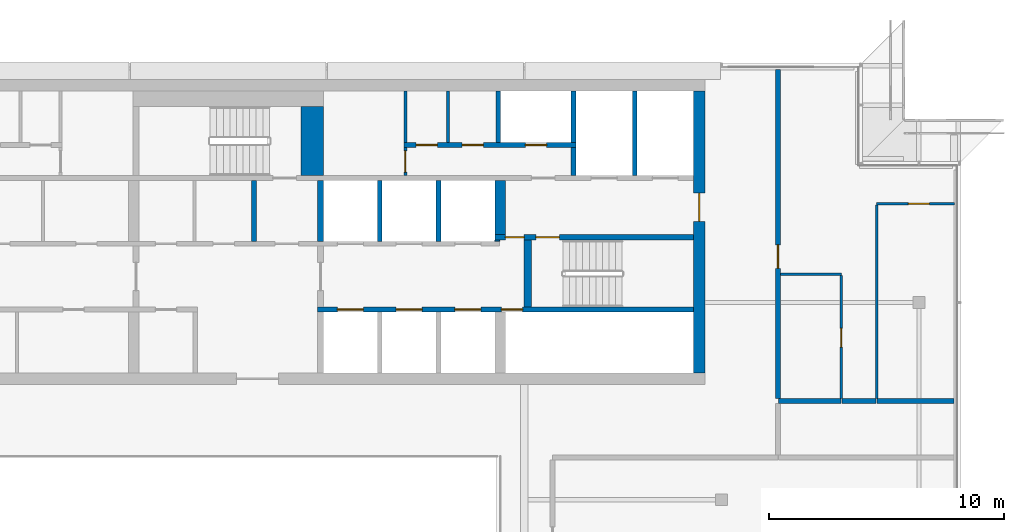
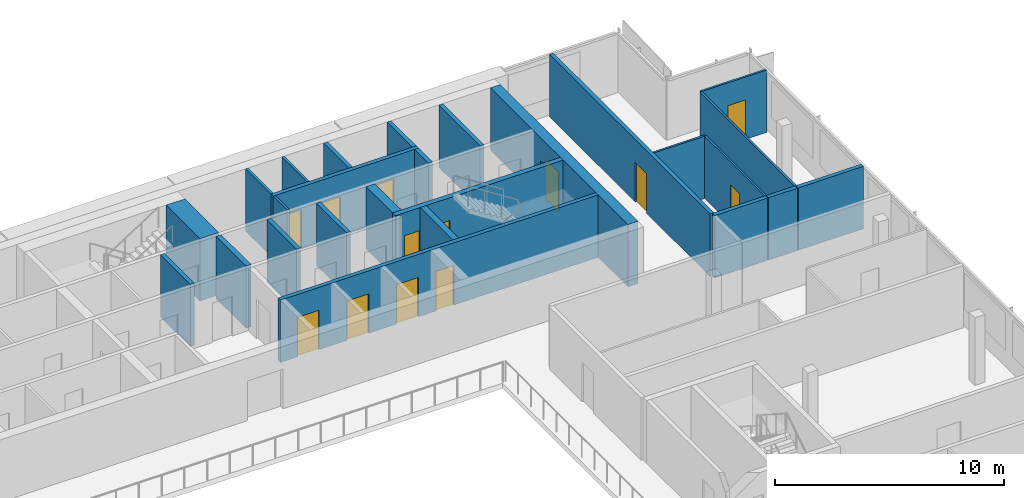
# One storey, part 20 of 24: 27 walls, 14 doors, 14 openings.
"""IFC4 building model written with IfcOpenShell, lengths in metres."""

from ifc_helpers import new_model, si_unit, direction, frame, frame_2d, origin, place, context, subcontext, project, spatial, rectangle, extrude, material, layer, layer_set, type_object, element, fill, save


model = new_model("IFC4")

# Units and contexts
model_context = context("Model", 3, precision=1e-05, world=origin(), true_north=direction((0.0, 1.0)))
body_context = subcontext(model_context, "Body", "Model", "MODEL_VIEW")
ifc_project = project(units=[si_unit("LENGTHUNIT", "METRE"), si_unit("AREAUNIT", "SQUARE_METRE"), si_unit("VOLUMEUNIT", "CUBIC_METRE"), si_unit("PLANEANGLEUNIT", "RADIAN"), si_unit("MASSUNIT", "GRAM", prefix="KILO")], contexts=[model_context])

# Site, building, storey
site_placement = place(None, origin())
site = spatial("IfcSite", under=ifc_project, at=site_placement, CompositionType="ELEMENT")
building_placement = place(site_placement, origin())
building = spatial("IfcBuilding", under=site, at=building_placement, Name="Saffron Gate Tower", CompositionType="ELEMENT")
storey_placement = place(building_placement, frame((0.0, 0.0, 281.550048828125)))
storey = spatial("IfcBuildingStorey", under=building, at=storey_placement, Name="L68", CompositionType="ELEMENT", Elevation=281.550048828125)

# Wall
ifc_material_1 = material(Name="Gypsum board partition on steel studs", Category="steel")
ifc_layer_1 = layer(ifc_material_1, 0.199951171875)
ifc_layer_set_1 = layer_set([ifc_layer_1], Name="CW10 Core partition 200")
wall_type_1 = type_object("IfcWallType", Name="CW10 Core partition 200", PredefinedType="PARTITIONING", material=ifc_layer_set_1)
wall_1_placement = place(storey_placement, frame((88.699951171875, 68.0, 0.0), z_axis=(0.0, 0.0, 1.0), x_axis=(0.0, 1.0, 0.0)))
element("IfcWall", 1, at=wall_1_placement, inside=storey, type_object=wall_type_1, Name="Wall CW10-L68-23", PredefinedType="PARTITIONING", context=body_context, shape_type="SweptSolid", body=[
    extrude(rectangle(XDim=2.60009765625, YDim=0.199951171875, at=frame_2d((1.300048828125, 0.0))), origin(), (0.0, 0.0, 1.0), 3.320068359375),
])

# Wall, opening, door
ifc_material_2 = material(Name="Concrete C50", Category="concrete")
ifc_layer_2 = layer(ifc_material_2, 0.5)
ifc_layer_set_2 = layer_set([ifc_layer_2], Name="CW22 RC core wall 500 C50")
wall_type_2 = type_object("IfcWallType", Name="CW22 RC core wall 500 C50", PredefinedType="SOLIDWALL", material=ifc_layer_set_2)
wall_2_placement = place(storey_placement, frame((107.64990234375, 62.39990234375, 0.0), z_axis=(0.0, 0.0, 1.0), x_axis=(0.0, 1.0, 0.0)))
wall_2 = element("IfcWall", 2, at=wall_2_placement, inside=storey, type_object=wall_type_2, Name="Wall CW22-L68-4", PredefinedType="SOLIDWALL", context=body_context, shape_type="SweptSolid", body=[
    extrude(rectangle(XDim=12.0, YDim=0.5, at=frame_2d((6.0, 0.0))), origin(), (0.0, 0.0, 1.0), 3.320068359375),
])
opening_1_placement = place(wall_2_placement, frame((6.449951171875, 0.0, 0.0)))
opening_1 = element("IfcOpeningElement", 3, at=opening_1_placement, cuts=wall_2, Name="Opening CR-08", PredefinedType="OPENING", context=body_context, shape_type="SweptSolid", body=[
    extrude(rectangle(XDim=1.199951171875, YDim=2.10009765625, at=frame_2d((0.60009765625, 1.050048828125))), frame((0.0, 0.260009765625, 0.0), z_axis=(0.0, -1.0, 0.0), x_axis=(1.0, 0.0, 0.0)), (0.0, 0.0, 1.0), 0.52001953125),
])
ifc_material_3 = material(Name="Steel fire door set", Category="steel")
door_type_1 = type_object("IfcDoorType", Name="CD7 Core entrance door 1200x2100 EI 120", OperationType="NOTDEFINED", PredefinedType="DOOR", material=ifc_material_3)
door_1_placement = place(opening_1_placement, origin())
door_1 = element("IfcDoor", 4, at=door_1_placement, inside=storey, type_object=door_type_1, Name="DOOR CR-08", OperationType="SINGLE_SWING_RIGHT", OverallHeight=2.10009765625, OverallWidth=1.199951171875, PredefinedType="DOOR", context=body_context, shape_type="SweptSolid", body=[
    extrude(rectangle(XDim=1.199951171875, YDim=2.10009765625, at=frame_2d((0.60009765625, 1.050048828125))), frame((0.0, 0.02490234375, 0.0), z_axis=(0.0, -1.0, 0.0), x_axis=(1.0, 0.0, 0.0)), (0.0, 0.0, 1.0), 0.050048828125),
])
fill(opening_1, door_1)

# Wall
ifc_layer_3 = layer(ifc_material_2, 0.25)
ifc_layer_set_3 = layer_set([ifc_layer_3], Name="CW23 RC core wall 250 C50")
wall_type_3 = type_object("IfcWallType", Name="CW23 RC core wall 250 C50", PredefinedType="SOLIDWALL", material=ifc_layer_set_3)
wall_3_placement = place(storey_placement, frame((91.52490234375, 68.0, 0.0), z_axis=(0.0, 0.0, 1.0), x_axis=(0.0, 1.0, 0.0)))
element("IfcWall", 5, at=wall_3_placement, inside=storey, type_object=wall_type_3, Name="Wall CW23-L68-24", PredefinedType="SOLIDWALL", context=body_context, shape_type="SweptSolid", body=[
    extrude(rectangle(XDim=2.60009765625, YDim=0.25, at=frame_2d((1.300048828125, 0.0))), origin(), (0.0, 0.0, 1.0), 3.320068359375),
])

# Wall, openings, doors
wall_4_placement = place(storey_placement, frame((98.949951171875, 68.175048828125, 0.0), z_axis=(0.0, 0.0, 1.0), x_axis=(1.0, 0.0, 0.0)))
wall_4 = element("IfcWall", 6, at=wall_4_placement, inside=storey, type_object=wall_type_3, Name="Wall CW23-L68-29", PredefinedType="SOLIDWALL", context=body_context, shape_type="SweptSolid", body=[
    extrude(rectangle(XDim=8.449951171875, YDim=0.25, at=frame_2d((4.22509765625, 0.0))), origin(), (0.0, 0.0, 1.0), 3.320068359375),
])
opening_2_placement = place(wall_4_placement, frame((0.449951171875, 0.0, 0.0)))
opening_2 = element("IfcOpeningElement", 7, at=opening_2_placement, cuts=wall_4, Name="Opening CR-05", PredefinedType="OPENING", context=body_context, shape_type="SweptSolid", body=[
    extrude(rectangle(XDim=0.800048828125, YDim=2.10009765625, at=frame_2d((0.39990234375, 1.050048828125))), frame((0.0, 0.135009765625, 0.0), z_axis=(0.0, -1.0, 0.0), x_axis=(1.0, 0.0, 0.0)), (0.0, 0.0, 1.0), 0.27001953125),
])
opening_3_placement = place(wall_4_placement, frame((1.75, 0.0, 0.0)))
opening_3 = element("IfcOpeningElement", 8, at=opening_3_placement, cuts=wall_4, Name="Opening CR-16", PredefinedType="OPENING", context=body_context, shape_type="SweptSolid", body=[
    extrude(rectangle(XDim=1.0, YDim=2.10009765625, at=frame_2d((0.5, 1.050048828125))), frame((0.0, 0.135009765625, 0.0), z_axis=(0.0, -1.0, 0.0), x_axis=(1.0, 0.0, 0.0)), (0.0, 0.0, 1.0), 0.27001953125),
])
door_type_2 = type_object("IfcDoorType", Name="CD5 Stair door 1000x2100 EI 120", OperationType="NOTDEFINED", PredefinedType="DOOR", material=ifc_material_3)
door_2_placement = place(opening_3_placement, origin())
door_2 = element("IfcDoor", 9, at=door_2_placement, inside=storey, type_object=door_type_2, Name="DOOR CR-16", OperationType="SINGLE_SWING_RIGHT", OverallHeight=2.10009765625, OverallWidth=1.0, PredefinedType="DOOR", context=body_context, shape_type="SweptSolid", body=[
    extrude(rectangle(XDim=1.0, YDim=2.10009765625, at=frame_2d((0.5, 1.050048828125))), frame((0.0, 0.02490234375, 0.0), z_axis=(0.0, -1.0, 0.0), x_axis=(1.0, 0.0, 0.0)), (0.0, 0.0, 1.0), 0.050048828125),
])
fill(opening_3, door_2)
door_type_3 = type_object("IfcDoorType", Name="CD6 Lobby door 800x2100 EI 120", OperationType="NOTDEFINED", PredefinedType="DOOR", material=ifc_material_3)
door_3_placement = place(opening_2_placement, origin())
door_3 = element("IfcDoor", 10, at=door_3_placement, inside=storey, type_object=door_type_3, Name="DOOR CR-05", OperationType="SINGLE_SWING_LEFT", OverallHeight=2.10009765625, OverallWidth=0.800048828125, PredefinedType="DOOR", context=body_context, shape_type="SweptSolid", body=[
    extrude(rectangle(XDim=0.800048828125, YDim=2.10009765625, at=frame_2d((0.39990234375, 1.050048828125))), frame((0.0, 0.02490234375, 0.0), z_axis=(0.0, -1.0, 0.0), x_axis=(1.0, 0.0, 0.0)), (0.0, 0.0, 1.0), 0.050048828125),
])
fill(opening_2, door_3)

# Wall
ifc_layer_4 = layer(ifc_material_2, 0.449951171875)
ifc_layer_set_4 = layer_set([ifc_layer_4], Name="CW24 RC core wall 450 C50")
wall_type_4 = type_object("IfcWallType", Name="CW24 RC core wall 450 C50", PredefinedType="SOLIDWALL", material=ifc_layer_set_4)
wall_5_placement = place(storey_placement, frame((99.175048828125, 68.300048828125, 0.0), z_axis=(0.0, 0.0, 1.0), x_axis=(0.0, 1.0, 0.0)))
element("IfcWall", 11, at=wall_5_placement, inside=storey, type_object=wall_type_4, Name="Wall CW24-L68-31", PredefinedType="SOLIDWALL", context=body_context, shape_type="SweptSolid", body=[
    extrude(rectangle(XDim=2.300048828125, YDim=0.449951171875, at=frame_2d((1.14990234375, 0.0))), origin(), (0.0, 0.0, 1.0), 3.320068359375),
])

# Wall, openings, doors
ifc_layer_5 = layer(ifc_material_2, 0.199951171875)
ifc_layer_set_5 = layer_set([ifc_layer_5], Name="CW25 RC core wall 200 C50")
wall_type_5 = type_object("IfcWallType", Name="CW25 RC core wall 200 C50", PredefinedType="SOLIDWALL", material=ifc_layer_set_5)
wall_6_placement = place(storey_placement, frame((91.39990234375, 65.10009765625, 0.0), z_axis=(0.0, 0.0, 1.0), x_axis=(1.0, 0.0, 0.0)))
wall_6 = element("IfcWall", 12, at=wall_6_placement, inside=storey, type_object=wall_type_5, Name="Wall CW25-L68-14", PredefinedType="SOLIDWALL", context=body_context, shape_type="SweptSolid", body=[
    extrude(rectangle(XDim=16.0, YDim=0.199951171875, at=frame_2d((8.0, 0.0))), origin(), (0.0, 0.0, 1.0), 3.320068359375),
])
opening_4_placement = place(wall_6_placement, frame((0.85009765625, 0.0, 0.0)))
opening_4 = element("IfcOpeningElement", 13, at=opening_4_placement, cuts=wall_6, Name="Opening LD-HR1", PredefinedType="OPENING", context=body_context, shape_type="SweptSolid", body=[
    extrude(rectangle(XDim=1.10009765625, YDim=2.10009765625, at=frame_2d((0.550048828125, 1.050048828125))), frame((0.0, 0.10986328125, 0.0), z_axis=(0.0, -1.0, 0.0), x_axis=(1.0, 0.0, 0.0)), (0.0, 0.0, 1.0), 0.219970703125),
])
opening_5_placement = place(wall_6_placement, frame((3.35009765625, 0.0, 0.0)))
opening_5 = element("IfcOpeningElement", 14, at=opening_5_placement, cuts=wall_6, Name="Opening LD-HR2", PredefinedType="OPENING", context=body_context, shape_type="SweptSolid", body=[
    extrude(rectangle(XDim=1.10009765625, YDim=2.10009765625, at=frame_2d((0.550048828125, 1.050048828125))), frame((0.0, 0.10986328125, 0.0), z_axis=(0.0, -1.0, 0.0), x_axis=(1.0, 0.0, 0.0)), (0.0, 0.0, 1.0), 0.219970703125),
])
opening_6_placement = place(wall_6_placement, frame((5.85009765625, 0.0, 0.0)))
opening_6 = element("IfcOpeningElement", 15, at=opening_6_placement, cuts=wall_6, Name="Opening LD-HR3", PredefinedType="OPENING", context=body_context, shape_type="SweptSolid", body=[
    extrude(rectangle(XDim=1.10009765625, YDim=2.10009765625, at=frame_2d((0.550048828125, 1.050048828125))), frame((0.0, 0.10986328125, 0.0), z_axis=(0.0, -1.0, 0.0), x_axis=(1.0, 0.0, 0.0)), (0.0, 0.0, 1.0), 0.219970703125),
])
opening_7_placement = place(wall_6_placement, frame((7.830078125, 0.0, 0.0)))
opening_7 = element("IfcOpeningElement", 16, at=opening_7_placement, cuts=wall_6, Name="Opening CR-48", PredefinedType="OPENING", context=body_context, shape_type="SweptSolid", body=[
    extrude(rectangle(XDim=0.89990234375, YDim=2.10009765625, at=frame_2d((0.449951171875, 1.050048828125))), frame((0.0, 0.10986328125, 0.0), z_axis=(0.0, -1.0, 0.0), x_axis=(1.0, 0.0, 0.0)), (0.0, 0.0, 1.0), 0.219970703125),
])
door_type_4 = type_object("IfcDoorType", Name="CD2 Riser door 900x2100 EI 60", OperationType="NOTDEFINED", PredefinedType="DOOR", material=ifc_material_3)
door_4_placement = place(opening_7_placement, origin())
door_4 = element("IfcDoor", 17, at=door_4_placement, inside=storey, type_object=door_type_4, Name="DOOR CR-48", OperationType="SINGLE_SWING_RIGHT", OverallHeight=2.10009765625, OverallWidth=0.89990234375, PredefinedType="DOOR", context=body_context, shape_type="SweptSolid", body=[
    extrude(rectangle(XDim=0.89990234375, YDim=2.10009765625, at=frame_2d((0.449951171875, 1.050048828125))), frame((0.0, 0.02490234375, 0.0), z_axis=(0.0, -1.0, 0.0), x_axis=(1.0, 0.0, 0.0)), (0.0, 0.0, 1.0), 0.050048828125),
])
fill(opening_7, door_4)
ifc_material_4 = material(Name="Stainless steel landing door", Category="steel")
door_type_5 = type_object("IfcDoorType", Name="LD Lift landing door 1100x2100 EI 120", OperationType="SLIDING_TO_LEFT", PredefinedType="DOOR", material=ifc_material_4)
door_5_placement = place(opening_4_placement, origin())
door_5 = element("IfcDoor", 18, at=door_5_placement, inside=storey, type_object=door_type_5, Name="LANDING DOOR LD-HR1", OperationType="SLIDING_TO_LEFT", OverallHeight=2.10009765625, OverallWidth=1.10009765625, PredefinedType="DOOR", context=body_context, shape_type="SweptSolid", body=[
    extrude(rectangle(XDim=1.10009765625, YDim=2.10009765625, at=frame_2d((0.550048828125, 1.050048828125))), frame((0.0, 0.02490234375, 0.0), z_axis=(0.0, -1.0, 0.0), x_axis=(1.0, 0.0, 0.0)), (0.0, 0.0, 1.0), 0.050048828125),
])
fill(opening_4, door_5)
door_6_placement = place(opening_5_placement, origin())
door_6 = element("IfcDoor", 19, at=door_6_placement, inside=storey, type_object=door_type_5, Name="LANDING DOOR LD-HR2", OperationType="SLIDING_TO_LEFT", OverallHeight=2.10009765625, OverallWidth=1.10009765625, PredefinedType="DOOR", context=body_context, shape_type="SweptSolid", body=[
    extrude(rectangle(XDim=1.10009765625, YDim=2.10009765625, at=frame_2d((0.550048828125, 1.050048828125))), frame((0.0, 0.02490234375, 0.0), z_axis=(0.0, -1.0, 0.0), x_axis=(1.0, 0.0, 0.0)), (0.0, 0.0, 1.0), 0.050048828125),
])
fill(opening_5, door_6)
door_7_placement = place(opening_6_placement, origin())
door_7 = element("IfcDoor", 20, at=door_7_placement, inside=storey, type_object=door_type_5, Name="LANDING DOOR LD-HR3", OperationType="SLIDING_TO_LEFT", OverallHeight=2.10009765625, OverallWidth=1.10009765625, PredefinedType="DOOR", context=body_context, shape_type="SweptSolid", body=[
    extrude(rectangle(XDim=1.10009765625, YDim=2.10009765625, at=frame_2d((0.550048828125, 1.050048828125))), frame((0.0, 0.02490234375, 0.0), z_axis=(0.0, -1.0, 0.0), x_axis=(1.0, 0.0, 0.0)), (0.0, 0.0, 1.0), 0.050048828125),
])
fill(opening_6, door_7)

# Walls
for number, where, z_axis, x_axis, name in (
    (21, (94.050048828125, 68.0, 0.0), (0.0, 0.0, 1.0), (0.0, 1.0, 0.0), "Wall CW25-L68-25"),
    (22, (96.550048828125, 68.0, 0.0), (0.0, 0.0, 1.0), (0.0, 1.0, 0.0), "Wall CW25-L68-26"),
):
    element("IfcWall", number, at=place(storey_placement, frame(where, z_axis=z_axis, x_axis=x_axis)), inside=storey, type_object=wall_type_5, Name=name, PredefinedType="SOLIDWALL", context=body_context, shape_type="SweptSolid", body=[
        extrude(rectangle(XDim=2.60009765625, YDim=0.199951171875, at=frame_2d((1.300048828125, 0.0))), origin(), (0.0, 0.0, 1.0), 3.320068359375),
    ])
wall_7_placement = place(storey_placement, frame((102.300048828125, 70.800048828125, 0.0), z_axis=(0.0, 0.0, 1.0), x_axis=(0.0, 1.0, 0.0)))
element("IfcWall", 23, at=wall_7_placement, inside=storey, type_object=wall_type_5, Name="Wall CW25-L68-39", PredefinedType="SOLIDWALL", context=body_context, shape_type="SweptSolid", body=[
    extrude(rectangle(XDim=1.199951171875, YDim=0.199951171875, at=frame_2d((0.60009765625, 0.0))), origin(), (0.0, 0.0, 1.0), 3.320068359375),
])
wall_8_placement = place(storey_placement, frame((104.89990234375, 70.800048828125, 0.0), z_axis=(0.0, 0.0, 1.0), x_axis=(0.0, 1.0, 0.0)))
element("IfcWall", 24, at=wall_8_placement, inside=storey, type_object=wall_type_5, Name="Wall CW25-L68-40", PredefinedType="SOLIDWALL", context=body_context, shape_type="SweptSolid", body=[
    extrude(rectangle(XDim=3.599853515625, YDim=0.199951171875, at=frame_2d((1.7998046875, 0.0))), origin(), (0.0, 0.0, 1.0), 3.320068359375),
])

# Wall, openings, doors
wall_9_placement = place(storey_placement, frame((95.080078125, 72.10009765625, 0.0), z_axis=(0.0, 0.0, 1.0), x_axis=(1.0, 0.0, 0.0)))
wall_9 = element("IfcWall", 25, at=wall_9_placement, inside=storey, type_object=wall_type_5, Name="Wall CW25-L68-42", PredefinedType="SOLIDWALL", context=body_context, shape_type="SweptSolid", body=[
    extrude(rectangle(XDim=7.31982421875, YDim=0.199951171875, at=frame_2d((3.659912109375, 0.0))), origin(), (0.0, 0.0, 1.0), 3.320068359375),
])
opening_8_placement = place(wall_9_placement, frame((0.52001953125, 0.0, 0.0)))
opening_8 = element("IfcOpeningElement", 26, at=opening_8_placement, cuts=wall_9, Name="Opening CR-50", PredefinedType="OPENING", context=body_context, shape_type="SweptSolid", body=[
    extrude(rectangle(XDim=0.89990234375, YDim=2.10009765625, at=frame_2d((0.449951171875, 1.050048828125))), frame((0.0, 0.10986328125, 0.0), z_axis=(0.0, -1.0, 0.0), x_axis=(1.0, 0.0, 0.0)), (0.0, 0.0, 1.0), 0.219970703125),
])
opening_9_placement = place(wall_9_placement, frame((2.47998046875, 0.0, 0.0)))
opening_9 = element("IfcOpeningElement", 27, at=opening_9_placement, cuts=wall_9, Name="Opening CR-53", PredefinedType="OPENING", context=body_context, shape_type="SweptSolid", body=[
    extrude(rectangle(XDim=0.89990234375, YDim=2.10009765625, at=frame_2d((0.449951171875, 1.050048828125))), frame((0.0, 0.10986328125, 0.0), z_axis=(0.0, -1.0, 0.0), x_axis=(1.0, 0.0, 0.0)), (0.0, 0.0, 1.0), 0.219970703125),
])
opening_10_placement = place(wall_9_placement, frame((5.169921875, 0.0, 0.0)))
opening_10 = element("IfcOpeningElement", 28, at=opening_10_placement, cuts=wall_9, Name="Opening CR-70", PredefinedType="OPENING", context=body_context, shape_type="SweptSolid", body=[
    extrude(rectangle(XDim=0.89990234375, YDim=2.10009765625, at=frame_2d((0.449951171875, 1.050048828125))), frame((0.0, 0.10986328125, 0.0), z_axis=(0.0, -1.0, 0.0), x_axis=(1.0, 0.0, 0.0)), (0.0, 0.0, 1.0), 0.219970703125),
])
door_8_placement = place(opening_10_placement, origin())
door_8 = element("IfcDoor", 29, at=door_8_placement, inside=storey, type_object=door_type_4, Name="DOOR CR-70", OperationType="SINGLE_SWING_LEFT", OverallHeight=2.10009765625, OverallWidth=0.89990234375, PredefinedType="DOOR", context=body_context, shape_type="SweptSolid", body=[
    extrude(rectangle(XDim=0.89990234375, YDim=2.10009765625, at=frame_2d((0.449951171875, 1.050048828125))), frame((0.0, 0.02490234375, 0.0), z_axis=(0.0, -1.0, 0.0), x_axis=(1.0, 0.0, 0.0)), (0.0, 0.0, 1.0), 0.050048828125),
])
fill(opening_10, door_8)
door_type_6 = type_object("IfcDoorType", Name="CD9 Room door 900x2100 EI 60", OperationType="NOTDEFINED", PredefinedType="DOOR", material=ifc_material_3)
door_9_placement = place(opening_8_placement, origin())
door_9 = element("IfcDoor", 30, at=door_9_placement, inside=storey, type_object=door_type_6, Name="DOOR CR-50", OperationType="SINGLE_SWING_LEFT", OverallHeight=2.10009765625, OverallWidth=0.89990234375, PredefinedType="DOOR", context=body_context, shape_type="SweptSolid", body=[
    extrude(rectangle(XDim=0.89990234375, YDim=2.10009765625, at=frame_2d((0.449951171875, 1.050048828125))), frame((0.0, 0.02490234375, 0.0), z_axis=(0.0, -1.0, 0.0), x_axis=(1.0, 0.0, 0.0)), (0.0, 0.0, 1.0), 0.050048828125),
])
fill(opening_8, door_9)
door_10_placement = place(opening_9_placement, origin())
door_10 = element("IfcDoor", 31, at=door_10_placement, inside=storey, type_object=door_type_6, Name="DOOR CR-53", OperationType="SINGLE_SWING_LEFT", OverallHeight=2.10009765625, OverallWidth=0.89990234375, PredefinedType="DOOR", context=body_context, shape_type="SweptSolid", body=[
    extrude(rectangle(XDim=0.89990234375, YDim=2.10009765625, at=frame_2d((0.449951171875, 1.050048828125))), frame((0.0, 0.02490234375, 0.0), z_axis=(0.0, -1.0, 0.0), x_axis=(1.0, 0.0, 0.0)), (0.0, 0.0, 1.0), 0.050048828125),
])
fill(opening_9, door_10)

# Walls
for number, where, z_axis, x_axis, name in (
    (32, (99.10009765625, 72.199951171875, 0.0), (0.0, 0.0, 1.0), (0.0, 1.0, 0.0), "Wall CW25-L68-49"),
    (33, (102.300048828125, 72.199951171875, 0.0), (0.0, 0.0, 1.0), (0.0, 1.0, 0.0), "Wall CW25-L68-50"),
):
    element("IfcWall", number, at=place(storey_placement, frame(where, z_axis=z_axis, x_axis=x_axis)), inside=storey, type_object=wall_type_5, Name=name, PredefinedType="SOLIDWALL", context=body_context, shape_type="SweptSolid", body=[
        extrude(rectangle(XDim=2.199951171875, YDim=0.199951171875, at=frame_2d((1.10009765625, 0.0))), origin(), (0.0, 0.0, 1.0), 3.320068359375),
    ])
ifc_layer_6 = layer(ifc_material_2, 0.300048828125)
ifc_layer_set_6 = layer_set([ifc_layer_6], Name="CW26 RC core wall 300 C50")
wall_type_6 = type_object("IfcWallType", Name="CW26 RC core wall 300 C50", PredefinedType="SOLIDWALL", material=ifc_layer_set_6)
wall_10_placement = place(storey_placement, frame((100.35009765625, 65.199951171875, 0.0), z_axis=(0.0, 0.0, 1.0), x_axis=(0.0, 1.0, 0.0)))
element("IfcWall", 34, at=wall_10_placement, inside=storey, type_object=wall_type_6, Name="Wall CW26-L68-18", PredefinedType="SOLIDWALL", context=body_context, shape_type="SweptSolid", body=[
    extrude(rectangle(XDim=2.85009765625, YDim=0.300048828125, at=frame_2d((1.425048828125, 0.0))), origin(), (0.0, 0.0, 1.0), 3.320068359375),
])
ifc_layer_7 = layer(ifc_material_2, 0.050048828125)
ifc_layer_set_7 = layer_set([ifc_layer_7], Name="CW27 RC core wall 50 C50")
wall_type_7 = type_object("IfcWallType", Name="CW27 RC core wall 50 C50", PredefinedType="SOLIDWALL", material=ifc_layer_set_7)
wall_11_placement = place(storey_placement, frame((98.949951171875, 68.02490234375, 0.0), z_axis=(0.0, 0.0, 1.0), x_axis=(1.0, 0.0, 0.0)))
element("IfcWall", 35, at=wall_11_placement, inside=storey, type_object=wall_type_7, Name="Wall CW27-L68-27", PredefinedType="SOLIDWALL", context=body_context, shape_type="SweptSolid", body=[
    extrude(rectangle(XDim=0.199951171875, YDim=0.050048828125, at=frame_2d((0.10009765625, 0.0))), origin(), (0.0, 0.0, 1.0), 3.320068359375),
])
ifc_layer_8 = layer(ifc_material_2, 0.949951171875)
ifc_layer_set_8 = layer_set([ifc_layer_8], Name="CW28 RC core wall 950 C50")
wall_type_8 = type_object("IfcWallType", Name="CW28 RC core wall 950 C50", PredefinedType="SOLIDWALL", material=ifc_layer_set_8)
wall_12_placement = place(storey_placement, frame((91.175048828125, 70.800048828125, 0.0), z_axis=(0.0, 0.0, 1.0), x_axis=(0.0, 1.0, 0.0)))
element("IfcWall", 36, at=wall_12_placement, inside=storey, type_object=wall_type_8, Name="Wall CW28-L68-37", PredefinedType="SOLIDWALL", context=body_context, shape_type="SweptSolid", body=[
    extrude(rectangle(XDim=2.949951171875, YDim=0.949951171875, at=frame_2d((1.47509765625, 0.0))), origin(), (0.0, 0.0, 1.0), 3.320068359375),
])

# Wall, opening, door
ifc_layer_9 = layer(ifc_material_1, 0.1201171875)
ifc_layer_set_9 = layer_set([ifc_layer_9], Name="CW8 Core partition 120")
wall_type_9 = type_object("IfcWallType", Name="CW8 Core partition 120", PredefinedType="PARTITIONING", material=ifc_layer_set_9)
wall_13_placement = place(storey_placement, frame((95.139892578125, 70.800048828125, 0.0), z_axis=(0.0, 0.0, 1.0), x_axis=(0.0, 1.0, 0.0)))
wall_13 = element("IfcWall", 37, at=wall_13_placement, inside=storey, type_object=wall_type_9, Name="Wall CW8-L68-38", PredefinedType="PARTITIONING", context=body_context, shape_type="SweptSolid", body=[
    extrude(rectangle(XDim=1.199951171875, YDim=0.1201171875, at=frame_2d((0.60009765625, 0.0))), origin(), (0.0, 0.0, 1.0), 3.320068359375),
])
opening_11_placement = place(wall_13_placement, frame((0.14990234375, 0.0, 0.0)))
opening_11 = element("IfcOpeningElement", 38, at=opening_11_placement, cuts=wall_13, Name="Opening CR-54", PredefinedType="OPENING", context=body_context, shape_type="SweptSolid", body=[
    extrude(rectangle(XDim=0.89990234375, YDim=2.10009765625, at=frame_2d((0.449951171875, 1.050048828125))), frame((0.0, 0.070068359375, 0.0), z_axis=(0.0, -1.0, 0.0), x_axis=(1.0, 0.0, 0.0)), (0.0, 0.0, 1.0), 0.14013671875),
])
door_11_placement = place(opening_11_placement, origin())
door_11 = element("IfcDoor", 39, at=door_11_placement, inside=storey, type_object=door_type_6, Name="DOOR CR-54", OperationType="SINGLE_SWING_LEFT", OverallHeight=2.10009765625, OverallWidth=0.89990234375, PredefinedType="DOOR", context=body_context, shape_type="SweptSolid", body=[
    extrude(rectangle(XDim=0.89990234375, YDim=2.10009765625, at=frame_2d((0.449951171875, 1.050048828125))), frame((0.0, 0.02490234375, 0.0), z_axis=(0.0, -1.0, 0.0), x_axis=(1.0, 0.0, 0.0)), (0.0, 0.0, 1.0), 0.050048828125),
])
fill(opening_11, door_11)

# Walls
for number, where, z_axis, x_axis, name in (
    (40, (95.139892578125, 72.199951171875, 0.0), (0.0, 0.0, 1.0), (0.0, 1.0, 0.0), "Wall CW8-L68-47"),
    (41, (96.9599609375, 72.199951171875, 0.0), (0.0, 0.0, 1.0), (0.0, 1.0, 0.0), "Wall CW8-L68-48"),
):
    element("IfcWall", number, at=place(storey_placement, frame(where, z_axis=z_axis, x_axis=x_axis)), inside=storey, type_object=wall_type_9, Name=name, PredefinedType="PARTITIONING", context=body_context, shape_type="SweptSolid", body=[
        extrude(rectangle(XDim=2.199951171875, YDim=0.1201171875, at=frame_2d((1.10009765625, 0.0))), origin(), (0.0, 0.0, 1.0), 3.320068359375),
    ])
ifc_material_5 = material(Name="Plasterboard on steel studs", Category="steel")
ifc_layer_10 = layer(ifc_material_5, 0.10009765625)
ifc_layer_set_10 = layer_set([ifc_layer_10], Name="PW1 Partition 100")
wall_type_10 = type_object("IfcWallType", Name="PW1 Partition 100", PredefinedType="PARTITIONING", material=ifc_layer_set_10)
wall_14_placement = place(storey_placement, frame((111.10009765625, 66.60009765625, 0.0), z_axis=(0.0, 0.0, 1.0), x_axis=(1.0, 0.0, 0.0)))
element("IfcWall", 42, at=wall_14_placement, inside=storey, type_object=wall_type_10, Name="Partition E3-28", PredefinedType="PARTITIONING", context=body_context, shape_type="SweptSolid", body=[
    extrude(rectangle(XDim=2.599853515625, YDim=0.10009765625, at=frame_2d((1.2998046875, 0.0))), origin(), (0.0, 0.0, 1.0), 3.320068359375),
])

# Wall, opening, door
wall_15_placement = place(storey_placement, frame((118.52001953125, 69.60009765625, 0.0), z_axis=(0.0, 0.0, 1.0), x_axis=(-1.0, 0.0, 0.0)))
wall_15 = element("IfcWall", 43, at=wall_15_placement, inside=storey, type_object=wall_type_10, Name="Partition E3-30", PredefinedType="PARTITIONING", context=body_context, shape_type="SweptSolid", body=[
    extrude(rectangle(XDim=3.320068359375, YDim=0.10009765625, at=frame_2d((1.66015625, 0.0))), origin(), (0.0, 0.0, 1.0), 3.320068359375),
])
opening_12_placement = place(wall_15_placement, frame((1.070068359375, 0.0, 0.0)))
opening_12 = element("IfcOpeningElement", 44, at=opening_12_placement, cuts=wall_15, Name="Opening E3-21", PredefinedType="OPENING", context=body_context, shape_type="SweptSolid", body=[
    extrude(rectangle(XDim=0.89990234375, YDim=2.10009765625, at=frame_2d((0.449951171875, 1.050048828125))), frame((0.0, 0.06005859375, 0.0), z_axis=(0.0, -1.0, 0.0), x_axis=(1.0, 0.0, 0.0)), (0.0, 0.0, 1.0), 0.1201171875),
])
ifc_material_6 = material(Name="Timber door set", Category="wood")
door_type_7 = type_object("IfcDoorType", Name="RD1 Room door 900x2100", OperationType="NOTDEFINED", PredefinedType="DOOR", material=ifc_material_6)
door_12_placement = place(opening_12_placement, origin())
door_12 = element("IfcDoor", 45, at=door_12_placement, inside=storey, type_object=door_type_7, Name="Door E3-21", OperationType="SINGLE_SWING_LEFT", OverallHeight=2.10009765625, OverallWidth=0.89990234375, PredefinedType="DOOR", context=body_context, shape_type="SweptSolid", body=[
    extrude(rectangle(XDim=0.89990234375, YDim=2.10009765625, at=frame_2d((0.449951171875, 1.050048828125))), frame((0.0, 0.02490234375, 0.0), z_axis=(0.0, -1.0, 0.0), x_axis=(1.0, 0.0, 0.0)), (0.0, 0.0, 1.0), 0.050048828125),
])
fill(opening_12, door_12)

wall_16_placement = place(storey_placement, frame((113.699951171875, 61.300048828125, 0.0), z_axis=(0.0, 0.0, 1.0), x_axis=(0.0, 1.0, 0.0)))
wall_16 = element("IfcWall", 46, at=wall_16_placement, inside=storey, type_object=wall_type_10, Name="Partition E3-71", PredefinedType="PARTITIONING", context=body_context, shape_type="SweptSolid", body=[
    extrude(rectangle(XDim=5.25, YDim=0.10009765625, at=frame_2d((2.625, 0.0))), origin(), (0.0, 0.0, 1.0), 3.320068359375),
])
opening_13_placement = place(wall_16_placement, frame((2.199951171875, 0.0, 0.0)))
opening_13 = element("IfcOpeningElement", 47, at=opening_13_placement, cuts=wall_16, Name="Opening E3-31", PredefinedType="OPENING", context=body_context, shape_type="SweptSolid", body=[
    extrude(rectangle(XDim=0.800048828125, YDim=2.10009765625, at=frame_2d((0.39990234375, 1.050048828125))), frame((0.0, 0.06005859375, 0.0), z_axis=(0.0, -1.0, 0.0), x_axis=(1.0, 0.0, 0.0)), (0.0, 0.0, 1.0), 0.1201171875),
])
door_type_8 = type_object("IfcDoorType", Name="RD2 Bathroom door 800x2100", OperationType="NOTDEFINED", PredefinedType="DOOR", material=ifc_material_6)
door_13_placement = place(opening_13_placement, origin())
door_13 = element("IfcDoor", 48, at=door_13_placement, inside=storey, type_object=door_type_8, Name="Door E3-31", OperationType="SINGLE_SWING_LEFT", OverallHeight=2.10009765625, OverallWidth=0.800048828125, PredefinedType="DOOR", context=body_context, shape_type="SweptSolid", body=[
    extrude(rectangle(XDim=0.800048828125, YDim=2.10009765625, at=frame_2d((0.39990234375, 1.050048828125))), frame((0.0, 0.02490234375, 0.0), z_axis=(0.0, -1.0, 0.0), x_axis=(1.0, 0.0, 0.0)), (0.0, 0.0, 1.0), 0.050048828125),
])
fill(opening_13, door_13)

# Wall
wall_17_placement = place(storey_placement, frame((115.199951171875, 69.550048828125, 0.0), z_axis=(0.0, 0.0, 1.0), x_axis=(0.0, -1.0, 0.0)))
element("IfcWall", 49, at=wall_17_placement, inside=storey, type_object=wall_type_10, Name="Partition E3-72", PredefinedType="PARTITIONING", context=body_context, shape_type="SweptSolid", body=[
    extrude(rectangle(XDim=8.25, YDim=0.10009765625, at=frame_2d((4.125, 0.0))), origin(), (0.0, 0.0, 1.0), 3.320068359375),
])

# Wall, opening, door
ifc_material_7 = material(Name="Clay brick masonry, rendered", Category="masonry")
ifc_layer_11 = layer(ifc_material_7, 0.199951171875)
ifc_layer_set_11 = layer_set([ifc_layer_11], Name="PW3 Corridor wall 200")
wall_type_11 = type_object("IfcWallType", Name="PW3 Corridor wall 200", PredefinedType="PARTITIONING", material=ifc_layer_set_11)
wall_18_placement = place(storey_placement, frame((111.0, 75.320068359375, 0.0), z_axis=(0.0, 0.0, 1.0), x_axis=(0.0, -1.0, 0.0)))
wall_18 = element("IfcWall", 50, at=wall_18_placement, inside=storey, type_object=wall_type_11, Name="Wall E3-66", PredefinedType="PARTITIONING", context=body_context, shape_type="SweptSolid", body=[
    extrude(rectangle(XDim=14.02001953125, YDim=0.199951171875, at=frame_2d((7.010009765625, 0.0))), origin(), (0.0, 0.0, 1.0), 3.320068359375),
])
opening_14_placement = place(wall_18_placement, frame((7.469970703125, 0.0, 0.0)))
opening_14 = element("IfcOpeningElement", 51, at=opening_14_placement, cuts=wall_18, Name="Opening E3-7", PredefinedType="OPENING", context=body_context, shape_type="SweptSolid", body=[
    extrude(rectangle(XDim=1.0, YDim=2.10009765625, at=frame_2d((0.5, 1.050048828125))), frame((0.0, 0.10986328125, 0.0), z_axis=(0.0, -1.0, 0.0), x_axis=(1.0, 0.0, 0.0)), (0.0, 0.0, 1.0), 0.219970703125),
])
ifc_material_8 = material(Name="Timber fire door set", Category="wood")
door_type_9 = type_object("IfcDoorType", Name="FD1 Flat entry door 1000x2100", OperationType="NOTDEFINED", PredefinedType="DOOR", material=ifc_material_8)
door_14_placement = place(opening_14_placement, origin())
door_14 = element("IfcDoor", 52, at=door_14_placement, inside=storey, type_object=door_type_9, Name="Door E3-7", OperationType="SINGLE_SWING_RIGHT", OverallHeight=2.10009765625, OverallWidth=1.0, PredefinedType="DOOR", context=body_context, shape_type="SweptSolid", body=[
    extrude(rectangle(XDim=1.0, YDim=2.10009765625, at=frame_2d((0.5, 1.050048828125))), frame((0.0, 0.02490234375, 0.0), z_axis=(0.0, -1.0, 0.0), x_axis=(1.0, 0.0, 0.0)), (0.0, 0.0, 1.0), 0.050048828125),
])
fill(opening_14, door_14)

# Walls
ifc_layer_12 = layer(ifc_material_7, 0.199951171875)
ifc_layer_set_12 = layer_set([ifc_layer_12], Name="PW5 Room wall 200")
wall_type_12 = type_object("IfcWallType", Name="PW5 Room wall 200", PredefinedType="PARTITIONING", material=ifc_layer_set_12)
wall_19_placement = place(storey_placement, frame((111.02001953125, 61.199951171875, 0.0), z_axis=(0.0, 0.0, 1.0), x_axis=(1.0, 0.0, 0.0)))
element("IfcWall", 53, at=wall_19_placement, inside=storey, type_object=wall_type_12, Name="Wall E3-25", PredefinedType="PARTITIONING", context=body_context, shape_type="SweptSolid", body=[
    extrude(rectangle(XDim=2.659912109375, YDim=0.199951171875, at=frame_2d((1.330078125, 0.0))), origin(), (0.0, 0.0, 1.0), 3.320068359375),
])
wall_20_placement = place(storey_placement, frame((113.719970703125, 61.199951171875, 0.0), z_axis=(0.0, 0.0, 1.0), x_axis=(1.0, 0.0, 0.0)))
element("IfcWall", 54, at=wall_20_placement, inside=storey, type_object=wall_type_12, Name="Wall E3-26", PredefinedType="PARTITIONING", context=body_context, shape_type="SweptSolid", body=[
    extrude(rectangle(XDim=1.4599609375, YDim=0.199951171875, at=frame_2d((0.72998046875, 0.0))), origin(), (0.0, 0.0, 1.0), 3.320068359375),
])
wall_21_placement = place(storey_placement, frame((115.219970703125, 61.199951171875, 0.0), z_axis=(0.0, 0.0, 1.0), x_axis=(1.0, 0.0, 0.0)))
element("IfcWall", 55, at=wall_21_placement, inside=storey, type_object=wall_type_12, Name="Wall E3-27", PredefinedType="PARTITIONING", context=body_context, shape_type="SweptSolid", body=[
    extrude(rectangle(XDim=3.280029296875, YDim=0.199951171875, at=frame_2d((1.64013671875, 0.0))), origin(), (0.0, 0.0, 1.0), 3.320068359375),
])

save(model, "model.ifc")
